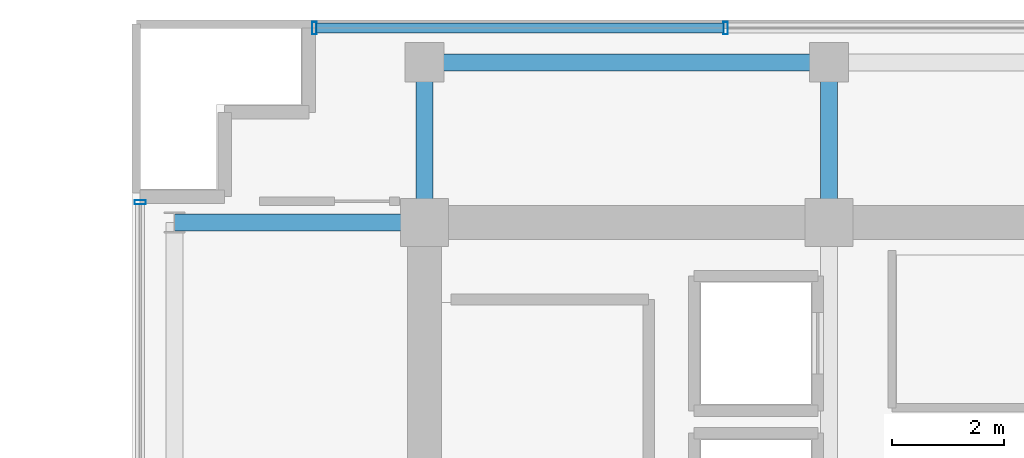
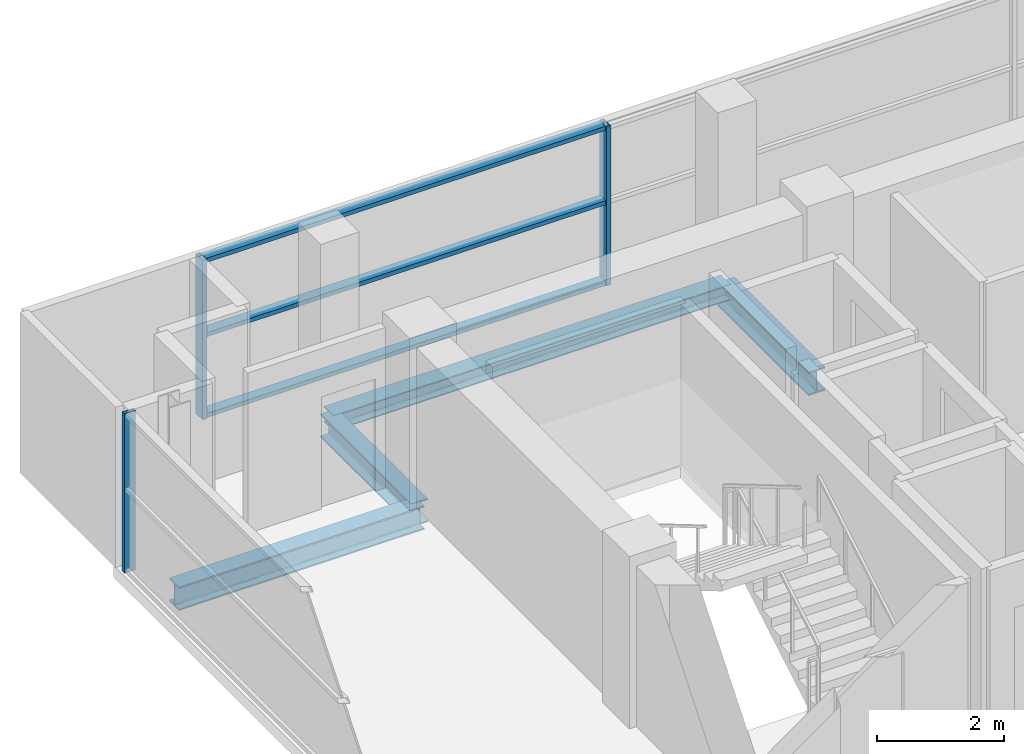
# One storey, part 11 of 21: 6 members, 4 beams, 2 elements without a shape of their own.
"""IFC4 building model written with IfcOpenShell, lengths in metres."""

import ifcopenshell
import ifcopenshell.guid

model = None  # the IFC model being written
_history = None  # IfcOwnerHistory: only IFC2X3 demands one
_inside = {}  # id of a spatial element -> (the spatial element, [elements in it])
_under = {}  # id of a project, library or spatial element -> (it, [spatial elements below it])
_declared = {}  # id of a project -> (the project, [libraries it declares])
_typed = {}  # id of a type object -> (the type object, [elements of that type])
_made_of = {}  # id of a material, layer set ... -> (it, [elements and type objects made of it])


def new_model(schema):
    """Start an empty IFC model of exactly this schema.

    Asked for "IFC4X3", IfcOpenShell would pick the latest addendum, in which some entities
    have other attributes; the version numbers below select the first issue.
    IFC2X3 requires an IfcOwnerHistory on every rooted entity: one is made here for all.
    """
    global model, _history
    if schema == "IFC4X3":
        model = ifcopenshell.file(schema_version=(4, 3, 0, 0))
    else:
        model = ifcopenshell.file(schema=schema)
    _inside.clear()
    _under.clear()
    _declared.clear()
    _typed.clear()
    _made_of.clear()
    _history = None
    if model.schema == "IFC2X3":
        org = make("IfcOrganization", Name="unknown")
        user = make(
            "IfcPersonAndOrganization",
            ThePerson=make("IfcPerson", FamilyName="unknown"),
            TheOrganization=org,
        )
        app = make(
            "IfcApplication",
            ApplicationDeveloper=org,
            Version="unknown",
            ApplicationFullName="unknown",
            ApplicationIdentifier="unknown",
        )
        _history = make(
            "IfcOwnerHistory",
            OwningUser=user,
            OwningApplication=app,
            ChangeAction="ADDED",
            CreationDate=0,
        )
    return model


def make(cls, **values):
    """One entity of the class cls with the attributes given. An attribute that is None is left unset."""
    return model.create_entity(
        cls, **{name: value for name, value in values.items() if value is not None}
    )


def rooted(cls, **values):
    """An entity with a GlobalId (a new one), such as an element, a storey or a relation."""
    return make(cls, GlobalId=ifcopenshell.guid.new(), OwnerHistory=_history, **values)


def si_unit(unit_type, name, prefix=None):
    """IfcSIUnit, for example si_unit("LENGTHUNIT", "METRE", prefix="MILLI")."""
    return make("IfcSIUnit", UnitType=unit_type, Prefix=prefix, Name=name)


def assignment(units):
    """IfcUnitAssignment: the units of a project."""
    return None if units is None else make("IfcUnitAssignment", Units=units)


def point(xyz):
    """IfcCartesianPoint."""
    return None if xyz is None else make("IfcCartesianPoint", Coordinates=xyz)


def direction(xyz):
    """IfcDirection."""
    return None if xyz is None else make("IfcDirection", DirectionRatios=xyz)


def frame(location, z_axis=None, x_axis=None):
    """IfcAxis2Placement3D, a coordinate frame: its origin and axes. An axis left out is left unset."""
    return make(
        "IfcAxis2Placement3D",
        Location=point(location),
        Axis=direction(z_axis),
        RefDirection=direction(x_axis),
    )


def frame_2d(location, x_axis=None):
    """IfcAxis2Placement2D, a coordinate frame in the plane: its origin and x axis."""
    return make(
        "IfcAxis2Placement2D", Location=point(location), RefDirection=direction(x_axis)
    )


def origin():
    """The frame at (0, 0, 0) with its axes left unset."""
    return frame((0.0, 0.0, 0.0))


def origin_2d():
    """The frame at (0, 0) in the plane with its x axis left unset."""
    return frame_2d((0.0, 0.0))


def place(relative_to, where):
    """IfcLocalPlacement: puts the frame where relative to a parent placement (None: the world)."""
    return make(
        "IfcLocalPlacement", PlacementRelTo=relative_to, RelativePlacement=where
    )


def context(
    kind, dimensions, precision=None, world=None, true_north=None, identifier=None
):
    """IfcGeometricRepresentationContext, for example the 3D "Model" context."""
    return make(
        "IfcGeometricRepresentationContext",
        ContextIdentifier=identifier,
        ContextType=kind,
        CoordinateSpaceDimension=dimensions,
        Precision=precision,
        WorldCoordinateSystem=world,
        TrueNorth=true_north,
    )


def subcontext(parent, identifier, kind, view, scale=None):
    """IfcGeometricRepresentationSubContext, for example "Body" below "Model"."""
    return make(
        "IfcGeometricRepresentationSubContext",
        ContextIdentifier=identifier,
        ContextType=kind,
        ParentContext=parent,
        TargetScale=scale,
        TargetView=view,
    )


def project(units=None, contexts=None):
    """IfcProject with its units and contexts."""
    return rooted(
        "IfcProject",
        Name="project",
        RepresentationContexts=contexts,
        UnitsInContext=assignment(units),
    )


def spatial(cls, under=None, at=None, **own):
    """A site, building, storey or space (cls), placed at a placement, below another one or the project."""
    s = rooted(cls, ObjectPlacement=at, **own)
    if under is not None:
        _under.setdefault(under.id(), (under, []))[1].append(s)
    return s


def profile(cls, at=None, kind="AREA", **sizes):
    """A parametric profile (cls). Its sizes go by their IFC names, for example OverallWidth=200.0."""
    return make(cls, ProfileType=kind, Position=at, **sizes)


def hollow_rectangle(**sizes):
    """IfcRectangleHollowProfileDef."""
    return profile("IfcRectangleHollowProfileDef", **sizes)


def i_section(**sizes):
    """IfcIShapeProfileDef."""
    return profile("IfcIShapeProfileDef", **sizes)


def extrude(swept, where, along, depth):
    """IfcExtrudedAreaSolid: the profile swept, set in the frame where, extruded along a direction by depth."""
    return make(
        "IfcExtrudedAreaSolid",
        SweptArea=swept,
        Position=where,
        ExtrudedDirection=direction(along),
        Depth=depth,
    )


def shape(context_of_items, identifier, shape_type, items):
    """IfcShapeRepresentation: the items that make up one representation, for example the "Body"."""
    return make(
        "IfcShapeRepresentation",
        ContextOfItems=context_of_items,
        RepresentationIdentifier=identifier,
        RepresentationType=shape_type,
        Items=items,
    )


def source(mapping_origin, context_of_items, identifier, shape_type, items):
    """IfcRepresentationMap: a shape defined once, which mapped items show again and again."""
    return make(
        "IfcRepresentationMap",
        MappingOrigin=mapping_origin,
        MappedRepresentation=shape(context_of_items, identifier, shape_type, items),
    )


def transform(
    local_origin,
    x_axis=None,
    y_axis=None,
    z_axis=None,
    scale=None,
    scale2=None,
    scale3=None,
    uniform=True,
):
    """IfcCartesianTransformationOperator3D, or its non-uniform kind. x_axis, y_axis, z_axis: its Axis1, 2, 3."""
    if uniform:
        return make(
            "IfcCartesianTransformationOperator3D",
            Axis1=direction(x_axis),
            Axis2=direction(y_axis),
            LocalOrigin=point(local_origin),
            Scale=scale,
            Axis3=direction(z_axis),
        )
    return make(
        "IfcCartesianTransformationOperator3DnonUniform",
        Axis1=direction(x_axis),
        Axis2=direction(y_axis),
        LocalOrigin=point(local_origin),
        Scale=scale,
        Axis3=direction(z_axis),
        Scale2=scale2,
        Scale3=scale3,
    )


def mapped(mapping_source, mapping_target):
    """IfcMappedItem: shows the shape of a source again, moved by a transform."""
    return make(
        "IfcMappedItem", MappingSource=mapping_source, MappingTarget=mapping_target
    )


def material(Name=None, Category=None):
    """IfcMaterial."""
    return make("IfcMaterial", Name=Name, Category=Category)


def layer(
    of_material, thickness, ventilated=None, Name=None, Category=None, Priority=None
):
    """IfcMaterialLayer: one layer of a wall or slab, of a material (None: an air gap)."""
    return make(
        "IfcMaterialLayer",
        Material=of_material,
        LayerThickness=thickness,
        IsVentilated=ventilated,
        Name=Name,
        Category=Category,
        Priority=Priority,
    )


def layer_set(layers, Name=None):
    """IfcMaterialLayerSet."""
    return make("IfcMaterialLayerSet", MaterialLayers=layers, LayerSetName=Name)


def material_profile(
    of_material, cross_section, Name=None, Category=None, Priority=None
):
    """IfcMaterialProfile: a cross section and its material."""
    return make(
        "IfcMaterialProfile",
        Name=Name,
        Material=of_material,
        Profile=cross_section,
        Priority=Priority,
        Category=Category,
    )


def profile_set(profiles, Name=None, composite=None):
    """IfcMaterialProfileSet."""
    return make(
        "IfcMaterialProfileSet",
        Name=Name,
        MaterialProfiles=profiles,
        CompositeProfile=composite,
    )


def made_of(thing, what):
    """Note that an element or type object is made of a material, layer set ...; save() writes the relation."""
    if what is not None:
        _made_of.setdefault(what.id(), (what, []))[1].append(thing)
    return thing


def type_object(cls, material=None, **own):
    """A type object (cls), such as IfcWallType, which elements share."""
    return made_of(rooted(cls, **own), material)


def element(
    cls,
    number,
    at=None,
    inside=None,
    cuts=None,
    type_object=None,
    material=None,
    context=None,
    identifier="Body",
    shape_type=None,
    held_by="IfcProductDefinitionShape",
    body=None,
    shapes=None,
    **own,
):
    """One element of the class cls, such as IfcWall. Its Tag is "e" and its number.

    at: its placement. inside: the storey or other place that contains it. cuts: it is an
    opening in that element (IfcRelVoidsElement). A single representation is given by context,
    identifier, shape_type and body (its items); several are given by shapes. held_by: the class
    of the entity that holds the representations. save() writes the other relations.
    """
    e = rooted(cls, Tag="e%d" % number, ObjectPlacement=at, **own)
    if body is not None:
        shapes = [shape(context, identifier, shape_type, body)]
    if shapes is not None:
        e.Representation = make(held_by, Representations=shapes)
    if inside is not None:
        _inside.setdefault(inside.id(), (inside, []))[1].append(e)
    if cuts is not None:
        rooted(
            "IfcRelVoidsElement", RelatingBuildingElement=cuts, RelatedOpeningElement=e
        )
    if type_object is not None:
        _typed.setdefault(type_object.id(), (type_object, []))[1].append(e)
    return made_of(e, material)


def aggregate(whole, parts):
    """IfcRelAggregates: a whole, such as a stair, and the parts it consists of."""
    return rooted("IfcRelAggregates", RelatingObject=whole, RelatedObjects=parts)


def save(model, path):
    """Write the relations noted so far, then the file.

    IfcRelAggregates (storeys below a building ...), IfcRelContainedInSpatialStructure (elements
    in a storey), IfcRelDefinesByType, IfcRelAssociatesMaterial and IfcRelDeclares: one each for
    every whole, place, type object, material and project.
    """
    for whole, parts in _under.values():
        aggregate(whole, parts)
    for where, things in _inside.values():
        rooted(
            "IfcRelContainedInSpatialStructure",
            RelatedElements=things,
            RelatingStructure=where,
        )
    for kind, things in _typed.values():
        rooted("IfcRelDefinesByType", RelatedObjects=things, RelatingType=kind)
    for what, things in _made_of.values():
        rooted("IfcRelAssociatesMaterial", RelatedObjects=things, RelatingMaterial=what)
    for by, libraries in _declared.values():
        rooted("IfcRelDeclares", RelatingContext=by, RelatedDefinitions=libraries)
    model.write(path)


model = new_model("IFC4")

# Units and contexts
model_context = context("Model", 3, precision=1e-05, world=origin(), true_north=direction((0.0, 1.0)))
body_context = subcontext(model_context, "Body", "Model", "MODEL_VIEW")
ifc_project = project(units=[si_unit("LENGTHUNIT", "METRE"), si_unit("AREAUNIT", "SQUARE_METRE"), si_unit("VOLUMEUNIT", "CUBIC_METRE"), si_unit("PLANEANGLEUNIT", "RADIAN"), si_unit("MASSUNIT", "GRAM", prefix="KILO")], contexts=[model_context])

# Site, building, storey
site_placement = place(None, origin())
site = spatial("IfcSite", under=ifc_project, at=site_placement, CompositionType="ELEMENT")
building_placement = place(site_placement, origin())
building = spatial("IfcBuilding", under=site, at=building_placement, Name="Zarnakvel Exchange Tower", CompositionType="ELEMENT")
storey_placement = place(building_placement, frame((0.0, 0.0, 255.10009765625)))
storey = spatial("IfcBuildingStorey", under=building, at=storey_placement, Name="L72", CompositionType="ELEMENT", Elevation=255.10009765625)

# Beams
ifc_material_1 = material(Name="Steel S355", Category="steel")
ifc_material_profile_1 = material_profile(ifc_material_1, i_section(OverallWidth=0.300048828125, OverallDepth=0.449951171875, WebThickness=0.013916015625, FlangeThickness=0.02587890625, FilletRadius=0.027099609375, at=origin_2d()))
ifc_profile_set_1 = profile_set([ifc_material_profile_1], Name="Steel S355")
beam_type_1 = type_object("IfcBeamType", Name="G-07", PredefinedType="BEAM", material=ifc_profile_set_1)
beam_1_placement = place(storey_placement, frame((-18.85009765625, 13.5, -0.4501953125), z_axis=(1.0, 0.0, 0.0), x_axis=(0.0, 1.0, 0.0)))
element("IfcBeam", 1, at=beam_1_placement, inside=storey, type_object=beam_type_1, Name="L72 Tower E-W Frame Beam", PredefinedType="BEAM", context=body_context, shape_type="SweptSolid", body=[
    extrude(i_section(OverallWidth=0.300048828125, OverallDepth=0.449951171875, WebThickness=0.013916015625, FlangeThickness=0.02587890625, FilletRadius=0.027099609375, at=origin_2d()), origin(), (0.0, 0.0, 1.0), 4.4501953125),
])
for number, where, z_axis, x_axis, name in (
    (2, (-14.39990234375, 13.5, -0.4501953125), (0.0, 1.0, 0.0), (-1.0, 0.0, 0.0), "L72 Tower N-S Frame Beam"),
    (3, (-7.199951171875, 13.5, -0.4501953125), (0.0, 1.0, 0.0), (-1.0, 0.0, 0.0), "L72 Tower N-S Frame Beam"),
):
    element("IfcBeam", number, at=place(storey_placement, frame(where, z_axis=z_axis, x_axis=x_axis)), inside=storey, type_object=beam_type_1, Name=name, PredefinedType="BEAM", context=body_context, shape_type="SweptSolid", body=[
        extrude(i_section(OverallWidth=0.300048828125, OverallDepth=0.449951171875, WebThickness=0.013916015625, FlangeThickness=0.02587890625, FilletRadius=0.027099609375, at=origin_2d()), origin(), (0.0, 0.0, 1.0), 2.85009765625),
    ])
ifc_material_profile_2 = material_profile(ifc_material_1, i_section(OverallWidth=0.300048828125, OverallDepth=0.300048828125, WebThickness=0.010986328125, FlangeThickness=0.01904296875, FilletRadius=0.027099609375, at=origin_2d()))
ifc_profile_set_2 = profile_set([ifc_material_profile_2], Name="Steel S355")
beam_type_2 = type_object("IfcBeamType", Name="SP-03", PredefinedType="SPANDREL", material=ifc_profile_set_2)
beam_2_placement = place(storey_placement, frame((-14.39990234375, 16.35009765625, -0.375), z_axis=(1.0, 0.0, 0.0), x_axis=(0.0, 1.0, 0.0)))
element("IfcBeam", 4, at=beam_2_placement, inside=storey, type_object=beam_type_2, Name="L72 Tower E-W Frame Beam", PredefinedType="SPANDREL", context=body_context, shape_type="SweptSolid", body=[
    extrude(i_section(OverallWidth=0.300048828125, OverallDepth=0.300048828125, WebThickness=0.010986328125, FlangeThickness=0.01904296875, FilletRadius=0.027099609375, at=origin_2d()), origin(), (0.0, 0.0, 1.0), 7.199951171875),
])

# Curtain wall, member
ifc_material_2 = material(Name="Architectural Bronze Anodised Aluminium", Category="aluminium")
ifc_layer_1 = layer(ifc_material_2, 0.199951171875)
ifc_layer_set_1 = layer_set([ifc_layer_1], Name="Architectural Bronze Anodised Aluminium")
curtain_wall_type_1 = type_object("IfcCurtainWallType", Name="CW-04", PredefinedType="NOTDEFINED", material=ifc_layer_set_1)
curtain_wall_1_placement = place(storey_placement, origin())
curtain_wall_1 = element("IfcCurtainWall", 5, at=curtain_wall_1_placement, inside=storey, type_object=curtain_wall_type_1, Name="L72 Curtain Wall CW-L72-WN (CW-04)", PredefinedType="NOTDEFINED")
ifc_material_profile_3 = material_profile(ifc_material_2, hollow_rectangle(XDim=0.199951171875, YDim=0.074951171875, WallThickness=0.0048828125, at=origin_2d()))
ifc_profile_set_3 = profile_set([ifc_material_profile_3], Name="Architectural Bronze Anodised Aluminium")
member_type_1 = type_object("IfcMemberType", Name="CWM-04", PredefinedType="MULLION", material=ifc_profile_set_3)
shared_shape_1 = source(origin(), body_context, "Body", "SweptSolid", [
    extrude(hollow_rectangle(XDim=0.199951171875, YDim=0.074951171875, WallThickness=0.0048828125, at=origin_2d()), origin(), (0.0, 0.0, 1.0), 3.054931640625),
])
member_1_placement = place(storey_placement, frame((-19.4599609375, 13.862548828125, 0.0), z_axis=(0.0, 0.0, 1.0), x_axis=(-1.0, 0.0, 0.0)))
member_1 = element("IfcMember", 6, at=member_1_placement, type_object=member_type_1, Name="CW-04 mullion 3", PredefinedType="MULLION", context=body_context, shape_type="MappedRepresentation", body=[
    mapped(shared_shape_1, transform((0.0, 0.0, 0.0), x_axis=(1.0, 0.0, 0.0), y_axis=(0.0, 1.0, 0.0), z_axis=(0.0, 0.0, 1.0), scale=1.0)),
])
aggregate(curtain_wall_1, [member_1])

# Curtain wall, members
ifc_layer_2 = layer(ifc_material_2, 0.219970703125)
ifc_layer_set_2 = layer_set([ifc_layer_2], Name="Architectural Bronze Anodised Aluminium")
curtain_wall_type_2 = type_object("IfcCurtainWallType", Name="CW-03", PredefinedType="NOTDEFINED", material=ifc_layer_set_2)
curtain_wall_2_placement = place(storey_placement, origin())
curtain_wall_2 = element("IfcCurtainWall", 7, at=curtain_wall_2_placement, inside=storey, type_object=curtain_wall_type_2, Name="L72 Curtain Wall CW-L72-N1 (CW-03)", PredefinedType="NOTDEFINED")
ifc_material_profile_4 = material_profile(ifc_material_2, hollow_rectangle(XDim=0.219970703125, YDim=0.080078125, WallThickness=0.0048828125, at=origin_2d()))
ifc_profile_set_4 = profile_set([ifc_material_profile_4], Name="Architectural Bronze Anodised Aluminium")
member_type_2 = type_object("IfcMemberType", Name="CWM-03", PredefinedType="MULLION", material=ifc_profile_set_4)
shared_shape_2 = source(origin(), body_context, "Body", "SweptSolid", [
    extrude(hollow_rectangle(XDim=0.219970703125, YDim=0.080078125, WallThickness=0.0048828125, at=origin_2d()), origin(), (0.0, 0.0, 1.0), 3.054931640625),
])
member_2_placement = place(storey_placement, frame((-16.360107421875, 16.9599609375, 0.0), z_axis=(0.0, 0.0, 1.0), x_axis=(0.0, 1.0, 0.0)))
member_2 = element("IfcMember", 8, at=member_2_placement, type_object=member_type_2, Name="CW-03 mullion 1", PredefinedType="MULLION", context=body_context, shape_type="MappedRepresentation", body=[
    mapped(shared_shape_2, transform((0.0, 0.0, 0.0), x_axis=(1.0, 0.0, 0.0), y_axis=(0.0, 1.0, 0.0), z_axis=(0.0, 0.0, 1.0), scale=1.0)),
])
member_3_placement = place(storey_placement, frame((-9.0400390625, 16.9599609375, 0.0), z_axis=(0.0, 0.0, 1.0), x_axis=(0.0, 1.0, 0.0)))
member_3 = element("IfcMember", 9, at=member_3_placement, type_object=member_type_2, Name="CW-03 mullion 2", PredefinedType="MULLION", context=body_context, shape_type="MappedRepresentation", body=[
    mapped(shared_shape_2, transform((0.0, 0.0, 0.0), x_axis=(1.0, 0.0, 0.0), y_axis=(0.0, 1.0, 0.0), z_axis=(0.0, 0.0, 1.0), scale=1.0)),
])
ifc_material_profile_5 = material_profile(ifc_material_2, hollow_rectangle(XDim=0.179931640625, YDim=0.080078125, WallThickness=0.00390625, at=origin_2d()))
ifc_profile_set_5 = profile_set([ifc_material_profile_5], Name="Architectural Bronze Anodised Aluminium")
member_type_3 = type_object("IfcMemberType", Name="CWT-03", PredefinedType="USERDEFINED", material=ifc_profile_set_5)
shared_shape_3 = source(origin(), body_context, "Body", "SweptSolid", [
    extrude(hollow_rectangle(XDim=0.179931640625, YDim=0.080078125, WallThickness=0.00390625, at=origin_2d()), origin(), (0.0, 0.0, 1.0), 7.239990234375),
])
member_4_placement = place(storey_placement, frame((-16.320068359375, 16.9599609375, 0.039794921875), z_axis=(1.0, 0.0, 0.0), x_axis=(0.0, 1.0, 0.0)))
member_4 = element("IfcMember", 10, at=member_4_placement, type_object=member_type_3, Name="CW-03 transom 1.1", ObjectType="TRANSOM", PredefinedType="USERDEFINED", context=body_context, shape_type="MappedRepresentation", body=[
    mapped(shared_shape_3, transform((0.0, 0.0, 0.0), x_axis=(1.0, 0.0, 0.0), y_axis=(0.0, 1.0, 0.0), z_axis=(0.0, 0.0, 1.0), scale=1.0)),
])
member_5_placement = place(storey_placement, frame((-16.320068359375, 16.9599609375, 1.588623046875), z_axis=(1.0, 0.0, 0.0), x_axis=(0.0, 1.0, 0.0)))
member_5 = element("IfcMember", 11, at=member_5_placement, type_object=member_type_3, Name="CW-03 transom 1.2", ObjectType="TRANSOM", PredefinedType="USERDEFINED", context=body_context, shape_type="MappedRepresentation", body=[
    mapped(shared_shape_3, transform((0.0, 0.0, 0.0), x_axis=(1.0, 0.0, 0.0), y_axis=(0.0, 1.0, 0.0), z_axis=(0.0, 0.0, 1.0), scale=1.0)),
])
member_6_placement = place(storey_placement, frame((-16.320068359375, 16.9599609375, 3.014892578125), z_axis=(1.0, 0.0, 0.0), x_axis=(0.0, 1.0, 0.0)))
member_6 = element("IfcMember", 12, at=member_6_placement, type_object=member_type_3, Name="CW-03 transom 1.3", ObjectType="TRANSOM", PredefinedType="USERDEFINED", context=body_context, shape_type="MappedRepresentation", body=[
    mapped(shared_shape_3, transform((0.0, 0.0, 0.0), x_axis=(1.0, 0.0, 0.0), y_axis=(0.0, 1.0, 0.0), z_axis=(0.0, 0.0, 1.0), scale=1.0)),
])
aggregate(curtain_wall_2, [member_2, member_3, member_4, member_5, member_6])

save(model, "model.ifc")
